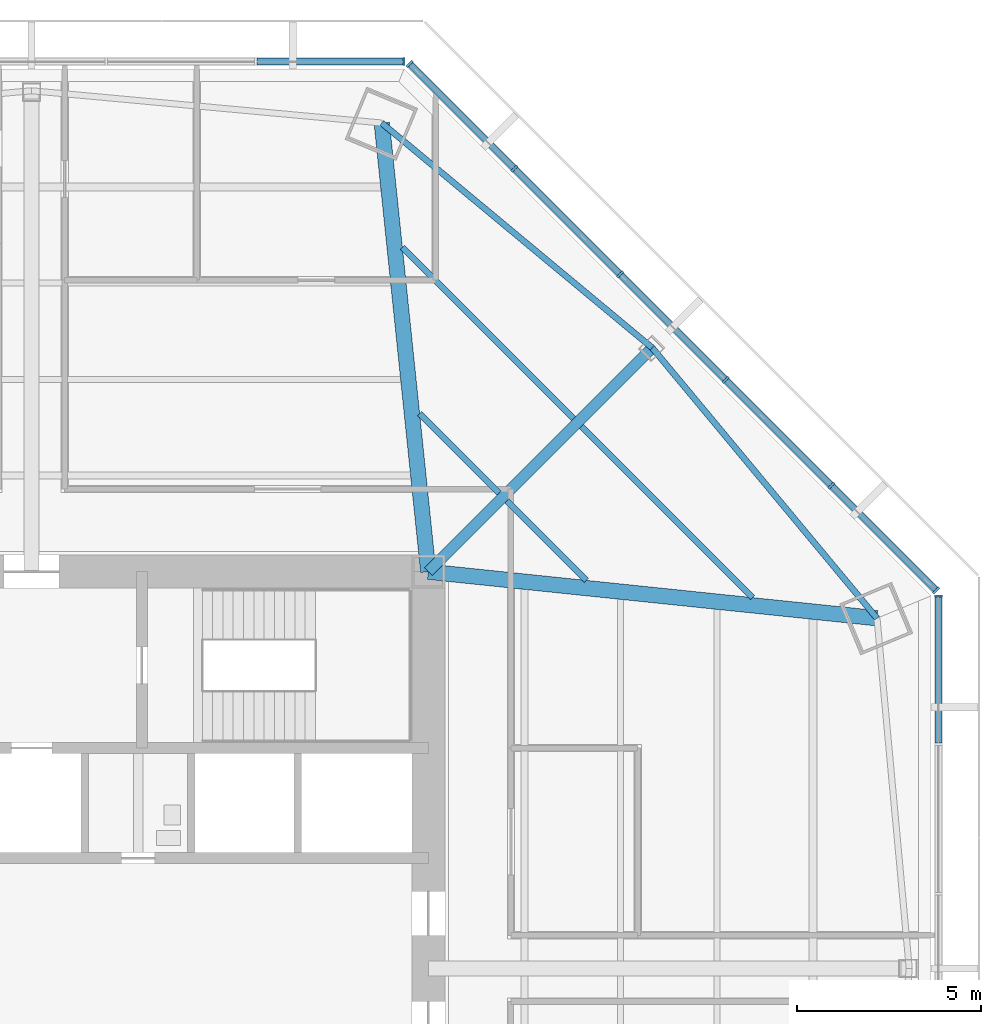
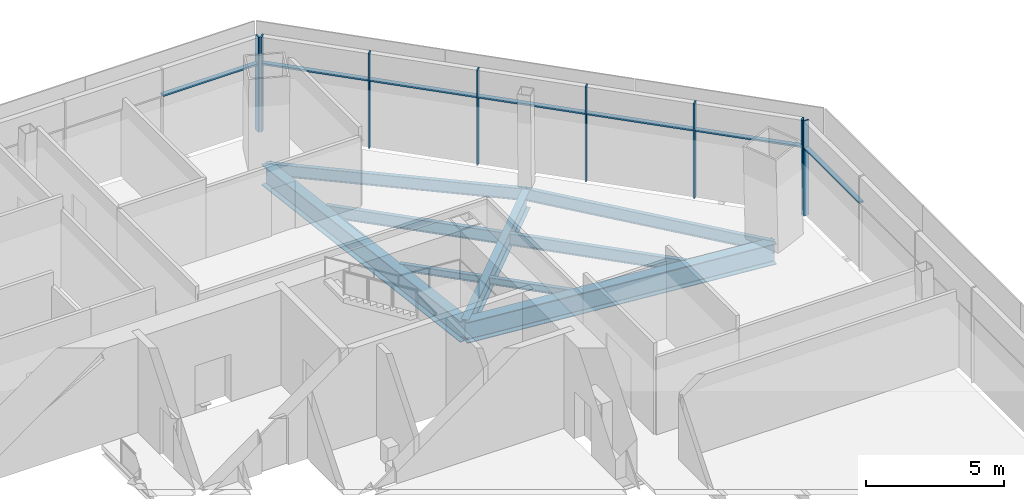
# One storey, part 6 of 14: 15 members, 9 beams, 3 elements without a shape of their own.
"""IFC4 building model written with IfcOpenShell, lengths in metres."""

import ifcopenshell
import ifcopenshell.guid

model = None  # the IFC model being written
_history = None  # IfcOwnerHistory: only IFC2X3 demands one
_inside = {}  # id of a spatial element -> (the spatial element, [elements in it])
_under = {}  # id of a project, library or spatial element -> (it, [spatial elements below it])
_declared = {}  # id of a project -> (the project, [libraries it declares])
_typed = {}  # id of a type object -> (the type object, [elements of that type])
_made_of = {}  # id of a material, layer set ... -> (it, [elements and type objects made of it])


def new_model(schema):
    """Start an empty IFC model of exactly this schema.

    Asked for "IFC4X3", IfcOpenShell would pick the latest addendum, in which some entities
    have other attributes; the version numbers below select the first issue.
    IFC2X3 requires an IfcOwnerHistory on every rooted entity: one is made here for all.
    """
    global model, _history
    if schema == "IFC4X3":
        model = ifcopenshell.file(schema_version=(4, 3, 0, 0))
    else:
        model = ifcopenshell.file(schema=schema)
    _inside.clear()
    _under.clear()
    _declared.clear()
    _typed.clear()
    _made_of.clear()
    _history = None
    if model.schema == "IFC2X3":
        org = make("IfcOrganization", Name="unknown")
        user = make(
            "IfcPersonAndOrganization",
            ThePerson=make("IfcPerson", FamilyName="unknown"),
            TheOrganization=org,
        )
        app = make(
            "IfcApplication",
            ApplicationDeveloper=org,
            Version="unknown",
            ApplicationFullName="unknown",
            ApplicationIdentifier="unknown",
        )
        _history = make(
            "IfcOwnerHistory",
            OwningUser=user,
            OwningApplication=app,
            ChangeAction="ADDED",
            CreationDate=0,
        )
    return model


def make(cls, **values):
    """One entity of the class cls with the attributes given. An attribute that is None is left unset."""
    return model.create_entity(
        cls, **{name: value for name, value in values.items() if value is not None}
    )


def rooted(cls, **values):
    """An entity with a GlobalId (a new one), such as an element, a storey or a relation."""
    return make(cls, GlobalId=ifcopenshell.guid.new(), OwnerHistory=_history, **values)


def si_unit(unit_type, name, prefix=None):
    """IfcSIUnit, for example si_unit("LENGTHUNIT", "METRE", prefix="MILLI")."""
    return make("IfcSIUnit", UnitType=unit_type, Prefix=prefix, Name=name)


def assignment(units):
    """IfcUnitAssignment: the units of a project."""
    return None if units is None else make("IfcUnitAssignment", Units=units)


def point(xyz):
    """IfcCartesianPoint."""
    return None if xyz is None else make("IfcCartesianPoint", Coordinates=xyz)


def direction(xyz):
    """IfcDirection."""
    return None if xyz is None else make("IfcDirection", DirectionRatios=xyz)


def frame(location, z_axis=None, x_axis=None):
    """IfcAxis2Placement3D, a coordinate frame: its origin and axes. An axis left out is left unset."""
    return make(
        "IfcAxis2Placement3D",
        Location=point(location),
        Axis=direction(z_axis),
        RefDirection=direction(x_axis),
    )


def frame_2d(location, x_axis=None):
    """IfcAxis2Placement2D, a coordinate frame in the plane: its origin and x axis."""
    return make(
        "IfcAxis2Placement2D", Location=point(location), RefDirection=direction(x_axis)
    )


def origin():
    """The frame at (0, 0, 0) with its axes left unset."""
    return frame((0.0, 0.0, 0.0))


def origin_2d():
    """The frame at (0, 0) in the plane with its x axis left unset."""
    return frame_2d((0.0, 0.0))


def place(relative_to, where):
    """IfcLocalPlacement: puts the frame where relative to a parent placement (None: the world)."""
    return make(
        "IfcLocalPlacement", PlacementRelTo=relative_to, RelativePlacement=where
    )


def context(
    kind, dimensions, precision=None, world=None, true_north=None, identifier=None
):
    """IfcGeometricRepresentationContext, for example the 3D "Model" context."""
    return make(
        "IfcGeometricRepresentationContext",
        ContextIdentifier=identifier,
        ContextType=kind,
        CoordinateSpaceDimension=dimensions,
        Precision=precision,
        WorldCoordinateSystem=world,
        TrueNorth=true_north,
    )


def subcontext(parent, identifier, kind, view, scale=None):
    """IfcGeometricRepresentationSubContext, for example "Body" below "Model"."""
    return make(
        "IfcGeometricRepresentationSubContext",
        ContextIdentifier=identifier,
        ContextType=kind,
        ParentContext=parent,
        TargetScale=scale,
        TargetView=view,
    )


def project(units=None, contexts=None):
    """IfcProject with its units and contexts."""
    return rooted(
        "IfcProject",
        Name="project",
        RepresentationContexts=contexts,
        UnitsInContext=assignment(units),
    )


def spatial(cls, under=None, at=None, **own):
    """A site, building, storey or space (cls), placed at a placement, below another one or the project."""
    s = rooted(cls, ObjectPlacement=at, **own)
    if under is not None:
        _under.setdefault(under.id(), (under, []))[1].append(s)
    return s


def profile(cls, at=None, kind="AREA", **sizes):
    """A parametric profile (cls). Its sizes go by their IFC names, for example OverallWidth=200.0."""
    return make(cls, ProfileType=kind, Position=at, **sizes)


def rectangle(**sizes):
    """IfcRectangleProfileDef."""
    return profile("IfcRectangleProfileDef", **sizes)


def i_section(**sizes):
    """IfcIShapeProfileDef."""
    return profile("IfcIShapeProfileDef", **sizes)


def extrude(swept, where, along, depth):
    """IfcExtrudedAreaSolid: the profile swept, set in the frame where, extruded along a direction by depth."""
    return make(
        "IfcExtrudedAreaSolid",
        SweptArea=swept,
        Position=where,
        ExtrudedDirection=direction(along),
        Depth=depth,
    )


def shape(context_of_items, identifier, shape_type, items):
    """IfcShapeRepresentation: the items that make up one representation, for example the "Body"."""
    return make(
        "IfcShapeRepresentation",
        ContextOfItems=context_of_items,
        RepresentationIdentifier=identifier,
        RepresentationType=shape_type,
        Items=items,
    )


def source(mapping_origin, context_of_items, identifier, shape_type, items):
    """IfcRepresentationMap: a shape defined once, which mapped items show again and again."""
    return make(
        "IfcRepresentationMap",
        MappingOrigin=mapping_origin,
        MappedRepresentation=shape(context_of_items, identifier, shape_type, items),
    )


def transform(
    local_origin,
    x_axis=None,
    y_axis=None,
    z_axis=None,
    scale=None,
    scale2=None,
    scale3=None,
    uniform=True,
):
    """IfcCartesianTransformationOperator3D, or its non-uniform kind. x_axis, y_axis, z_axis: its Axis1, 2, 3."""
    if uniform:
        return make(
            "IfcCartesianTransformationOperator3D",
            Axis1=direction(x_axis),
            Axis2=direction(y_axis),
            LocalOrigin=point(local_origin),
            Scale=scale,
            Axis3=direction(z_axis),
        )
    return make(
        "IfcCartesianTransformationOperator3DnonUniform",
        Axis1=direction(x_axis),
        Axis2=direction(y_axis),
        LocalOrigin=point(local_origin),
        Scale=scale,
        Axis3=direction(z_axis),
        Scale2=scale2,
        Scale3=scale3,
    )


def mapped(mapping_source, mapping_target):
    """IfcMappedItem: shows the shape of a source again, moved by a transform."""
    return make(
        "IfcMappedItem", MappingSource=mapping_source, MappingTarget=mapping_target
    )


def material(Name=None, Category=None):
    """IfcMaterial."""
    return make("IfcMaterial", Name=Name, Category=Category)


def material_profile(
    of_material, cross_section, Name=None, Category=None, Priority=None
):
    """IfcMaterialProfile: a cross section and its material."""
    return make(
        "IfcMaterialProfile",
        Name=Name,
        Material=of_material,
        Profile=cross_section,
        Priority=Priority,
        Category=Category,
    )


def profile_set(profiles, Name=None, composite=None):
    """IfcMaterialProfileSet."""
    return make(
        "IfcMaterialProfileSet",
        Name=Name,
        MaterialProfiles=profiles,
        CompositeProfile=composite,
    )


def made_of(thing, what):
    """Note that an element or type object is made of a material, layer set ...; save() writes the relation."""
    if what is not None:
        _made_of.setdefault(what.id(), (what, []))[1].append(thing)
    return thing


def type_object(cls, material=None, **own):
    """A type object (cls), such as IfcWallType, which elements share."""
    return made_of(rooted(cls, **own), material)


def type_shapes(of_type, sources):
    """Give a type object the sources (RepresentationMaps) that its elements show as mapped items."""
    of_type.RepresentationMaps = sources


def element(
    cls,
    number,
    at=None,
    inside=None,
    cuts=None,
    type_object=None,
    material=None,
    context=None,
    identifier="Body",
    shape_type=None,
    held_by="IfcProductDefinitionShape",
    body=None,
    shapes=None,
    **own,
):
    """One element of the class cls, such as IfcWall. Its Tag is "e" and its number.

    at: its placement. inside: the storey or other place that contains it. cuts: it is an
    opening in that element (IfcRelVoidsElement). A single representation is given by context,
    identifier, shape_type and body (its items); several are given by shapes. held_by: the class
    of the entity that holds the representations. save() writes the other relations.
    """
    e = rooted(cls, Tag="e%d" % number, ObjectPlacement=at, **own)
    if body is not None:
        shapes = [shape(context, identifier, shape_type, body)]
    if shapes is not None:
        e.Representation = make(held_by, Representations=shapes)
    if inside is not None:
        _inside.setdefault(inside.id(), (inside, []))[1].append(e)
    if cuts is not None:
        rooted(
            "IfcRelVoidsElement", RelatingBuildingElement=cuts, RelatedOpeningElement=e
        )
    if type_object is not None:
        _typed.setdefault(type_object.id(), (type_object, []))[1].append(e)
    return made_of(e, material)


def aggregate(whole, parts):
    """IfcRelAggregates: a whole, such as a stair, and the parts it consists of."""
    return rooted("IfcRelAggregates", RelatingObject=whole, RelatedObjects=parts)


def save(model, path):
    """Write the relations noted so far, then the file.

    IfcRelAggregates (storeys below a building ...), IfcRelContainedInSpatialStructure (elements
    in a storey), IfcRelDefinesByType, IfcRelAssociatesMaterial and IfcRelDeclares: one each for
    every whole, place, type object, material and project.
    """
    for whole, parts in _under.values():
        aggregate(whole, parts)
    for where, things in _inside.values():
        rooted(
            "IfcRelContainedInSpatialStructure",
            RelatedElements=things,
            RelatingStructure=where,
        )
    for kind, things in _typed.values():
        rooted("IfcRelDefinesByType", RelatedObjects=things, RelatingType=kind)
    for what, things in _made_of.values():
        rooted("IfcRelAssociatesMaterial", RelatedObjects=things, RelatingMaterial=what)
    for by, libraries in _declared.values():
        rooted("IfcRelDeclares", RelatingContext=by, RelatedDefinitions=libraries)
    model.write(path)


model = new_model("IFC4")

# Units and contexts
model_context = context("Model", 3, precision=1e-05, world=origin(), true_north=direction((0.0, 1.0)))
body_context = subcontext(model_context, "Body", "Model", "MODEL_VIEW")
ifc_project = project(units=[si_unit("LENGTHUNIT", "METRE"), si_unit("AREAUNIT", "SQUARE_METRE"), si_unit("VOLUMEUNIT", "CUBIC_METRE"), si_unit("PLANEANGLEUNIT", "RADIAN"), si_unit("MASSUNIT", "GRAM", prefix="KILO")], contexts=[model_context])

# Site, building, storey
site_placement = place(None, origin())
site = spatial("IfcSite", under=ifc_project, at=site_placement, CompositionType="ELEMENT")
building_placement = place(site_placement, origin())
building = spatial("IfcBuilding", under=site, at=building_placement, Name="Mashrafa Tower", CompositionType="ELEMENT")
storey_placement = place(building_placement, frame((0.0, 0.0, 117.60009765625)))
storey = spatial("IfcBuildingStorey", under=building, at=storey_placement, Name="L26", CompositionType="ELEMENT", Elevation=117.60009765625)

# Beams
ifc_material_1 = material(Name="Steel ASTM A992", Category="steel")
ifc_material_profile_1 = material_profile(ifc_material_1, i_section(OverallWidth=0.164794921875, OverallDepth=0.309814453125, WebThickness=0.005859375, FlangeThickness=0.009765625, FilletRadius=0.007568359375, at=origin_2d()), Name="W12X26")
ifc_profile_set_1 = profile_set([ifc_material_profile_1], Name="Steel ASTM A992")
beam_type_1 = type_object("IfcBeamType", Name="Beam W12X26", PredefinedType="BEAM", material=ifc_profile_set_1)
for number, where, z_axis, x_axis, name in (
    (1, (10.564697265625, 15.098388671875, -0.320068359375), (0.707106781187, -0.707106781187, 0.0), (0.707106781187, 0.707106781187, 0.0), "Floor beam L26 033"),
    (2, (12.934814453125, 12.728271484375, -0.320068359375), (0.707106781187, -0.707106781187, 0.0), (0.707106781187, 0.707106781187, 0.0), "Floor beam L26 036"),
):
    element("IfcBeam", number, at=place(storey_placement, frame(where, z_axis=z_axis, x_axis=x_axis)), inside=storey, type_object=beam_type_1, Name=name, PredefinedType="BEAM", context=body_context, shape_type="SweptSolid", body=[
        extrude(i_section(OverallWidth=0.164794921875, OverallDepth=0.309814453125, WebThickness=0.005859375, FlangeThickness=0.009765625, FilletRadius=0.007568359375, at=origin_2d()), origin(), (0.0, 0.0, 1.0), 3.059814453125),
    ])
ifc_material_2 = material(Name="Steel ASTM A992", Category="steel")
ifc_material_profile_2 = material_profile(ifc_material_2, i_section(OverallWidth=0.1650390625, OverallDepth=0.52587890625, WebThickness=0.0087890625, FlangeThickness=0.011474609375, FilletRadius=0.0126953125, at=origin_2d()), Name="W21X44")
ifc_profile_set_2 = profile_set([ifc_material_profile_2], Name="Steel ASTM A992")
beam_type_2 = type_object("IfcBeamType", Name="Beam W21X44", PredefinedType="BEAM", material=ifc_profile_set_2)
for number, where, z_axis, x_axis, name in (
    (3, (10.094482421875, 19.631591796875, -0.427978515625), (0.707106781187, -0.707106781187, 0.0), (0.707106781187, 0.707106781187, 0.0), "Floor beam L26 030"),
    (4, (14.96630859375, 14.759765625, -0.427978515625), (0.707106781187, -0.707106781187, 0.0), (0.707106781187, 0.707106781187, 0.0), "Floor beam L26 040"),
):
    element("IfcBeam", number, at=place(storey_placement, frame(where, z_axis=z_axis, x_axis=x_axis)), inside=storey, type_object=beam_type_2, Name=name, PredefinedType="BEAM", context=body_context, shape_type="SweptSolid", body=[
        extrude(i_section(OverallWidth=0.1650390625, OverallDepth=0.52587890625, WebThickness=0.0087890625, FlangeThickness=0.011474609375, FilletRadius=0.0126953125, at=origin_2d()), origin(), (0.0, 0.0, 1.0), 6.59765625),
    ])
for number, where, z_axis, x_axis, name in (
    (5, (16.894775390625, 16.894775390625, -0.427978515625), (-0.769002504827, 0.639245764608, 0.0), (-0.639245764608, -0.769002504827, 0.0), "Spandrel beam L26 077"),
    (6, (23.014404296875, 9.532958984375, -0.427978515625), (-0.639245764608, 0.769002504827, 0.0), (-0.769002504827, -0.639245764608, 0.0), "Spandrel beam L26 079"),
):
    element("IfcBeam", number, at=place(storey_placement, frame(where, z_axis=z_axis, x_axis=x_axis)), inside=storey, type_object=beam_type_2, Name=name, PredefinedType="BEAM", context=body_context, shape_type="SweptSolid", body=[
        extrude(i_section(OverallWidth=0.1650390625, OverallDepth=0.52587890625, WebThickness=0.0087890625, FlangeThickness=0.011474609375, FilletRadius=0.0126953125, at=origin_2d()), origin(), (0.0, 0.0, 1.0), 9.5732421875),
    ])
ifc_material_3 = material(Name="Steel ASTM A992", Category="steel")
ifc_material_profile_3 = material_profile(ifc_material_3, i_section(OverallWidth=0.2919921875, OverallDepth=0.8408203125, WebThickness=0.0146484375, FlangeThickness=0.021728515625, FilletRadius=0.017333984375, at=origin_2d()), Name="W33X130")
ifc_profile_set_3 = profile_set([ifc_material_profile_3], Name="Steel ASTM A992")
beam_type_3 = type_object("IfcBeamType", Name="Beam W33X130", PredefinedType="BEAM", material=ifc_profile_set_3)
beam_placement = place(storey_placement, frame((10.800048828125, 10.800048828125, -0.58544921875), z_axis=(0.707106781187, 0.707106781187, 0.0), x_axis=(-0.707106781187, 0.707106781187, 0.0)))
element("IfcBeam", 7, at=beam_placement, inside=storey, type_object=beam_type_3, Name="Radial girder L26 063", PredefinedType="BEAM", context=body_context, shape_type="SweptSolid", body=[
    extrude(i_section(OverallWidth=0.2919921875, OverallDepth=0.8408203125, WebThickness=0.0146484375, FlangeThickness=0.021728515625, FilletRadius=0.017333984375, at=origin_2d()), origin(), (0.0, 0.0, 1.0), 8.619140625),
])
ifc_material_4 = material(Name="Steel ASTM A992", Category="steel")
ifc_material_profile_4 = material_profile(ifc_material_4, i_section(OverallWidth=0.419189453125, OverallDepth=0.927001953125, WebThickness=0.019287109375, FlangeThickness=0.031982421875, FilletRadius=0.020263671875, at=origin_2d()), Name="W36X231")
ifc_profile_set_4 = profile_set([ifc_material_profile_4], Name="Steel ASTM A992")
beam_type_4 = type_object("IfcBeamType", Name="Beam W36X231", PredefinedType="BEAM", material=ifc_profile_set_4)
for number, where, z_axis, x_axis, name in (
    (8, (10.800048828125, 10.800048828125, -0.628662109375), (-0.103184034441, 0.994662281901, 0.0), (-0.994662281901, -0.103184034441, 0.0), "Radial girder L26 062"),
    (9, (10.800048828125, 10.800048828125, -0.628662109375), (0.994662281901, -0.103184034441, 0.0), (0.103184034441, 0.994662281901, 0.0), "Radial girder L26 064"),
):
    element("IfcBeam", number, at=place(storey_placement, frame(where, z_axis=z_axis, x_axis=x_axis)), inside=storey, type_object=beam_type_4, Name=name, PredefinedType="BEAM", context=body_context, shape_type="SweptSolid", body=[
        extrude(i_section(OverallWidth=0.419189453125, OverallDepth=0.927001953125, WebThickness=0.019287109375, FlangeThickness=0.031982421875, FilletRadius=0.020263671875, at=origin_2d()), origin(), (0.0, 0.0, 1.0), 12.27978515625),
    ])

# Curtain wall, member
ifc_material_5 = material(Name="Unitised aluminium curtain wall", Category="aluminium")
curtain_wall_type = type_object("IfcCurtainWallType", Name="Office curtain wall, zone 2 CW-B 225 deep", PredefinedType="NOTDEFINED", material=ifc_material_5)
curtain_wall_1_placement = place(storey_placement, origin())
curtain_wall_1 = element("IfcCurtainWall", 10, at=curtain_wall_1_placement, inside=storey, type_object=curtain_wall_type, Name="Office curtain wall, zone 2 L26 east", PredefinedType="NOTDEFINED")
ifc_material_6 = material(Name="Extruded aluminium mullion", Category="aluminium")
ifc_material_profile_5 = material_profile(ifc_material_6, rectangle(XDim=0.22509765625, YDim=0.06494140625, at=origin_2d()), Name="Mullion 65x225")
ifc_profile_set_5 = profile_set([ifc_material_profile_5], Name="Extruded aluminium mullion")
member_type_1 = type_object("IfcMemberType", Name="Mullion CW-B 65 x 225", PredefinedType="MULLION", material=ifc_profile_set_5)
shared_shape_1 = source(origin(), body_context, "Body", "SweptSolid", [
    extrude(rectangle(XDim=0.22509765625, YDim=0.06494140625, at=origin_2d()), origin(), (0.0, 0.0, 1.0), 4.199951171875),
])
type_shapes(member_type_1, [shared_shape_1])
member_1_placement = place(storey_placement, frame((24.68798828125, 10.136962890625, 0.0), z_axis=(0.0, 0.0, 1.0), x_axis=(-1.0, 0.0, 0.0)))
member_1 = element("IfcMember", 11, at=member_1_placement, type_object=member_type_1, Name="CW-B mullion 6", PredefinedType="MULLION", context=body_context, shape_type="MappedRepresentation", body=[
    mapped(shared_shape_1, transform((0.0, 0.0, 0.0))),
])

# Curtain wall, members
curtain_wall_2_placement = place(storey_placement, origin())
curtain_wall_2 = element("IfcCurtainWall", 12, at=curtain_wall_2_placement, inside=storey, type_object=curtain_wall_type, Name="Office curtain wall, zone 2 L26 north-east", PredefinedType="NOTDEFINED")
member_2_placement = place(storey_placement, frame((24.625, 10.2890625, 0.0), z_axis=(0.0, 0.0, 1.0), x_axis=(-0.707106781187, -0.707106781187, 0.0)))
member_2 = element("IfcMember", 13, at=member_2_placement, type_object=member_type_1, Name="CW-B mullion 1", PredefinedType="MULLION", context=body_context, shape_type="MappedRepresentation", body=[
    mapped(shared_shape_1, transform((0.0, 0.0, 0.0))),
])
member_3_placement = place(storey_placement, frame((21.771484375, 13.142578125, 0.0), z_axis=(0.0, 0.0, 1.0), x_axis=(-0.707106781187, -0.707106781187, 0.0)))
member_3 = element("IfcMember", 14, at=member_3_placement, type_object=member_type_1, Name="CW-B mullion 2", PredefinedType="MULLION", context=body_context, shape_type="MappedRepresentation", body=[
    mapped(shared_shape_1, transform((0.0, 0.0, 0.0))),
])
member_4_placement = place(storey_placement, frame((18.895263671875, 16.018798828125, 0.0), z_axis=(0.0, 0.0, 1.0), x_axis=(-0.707106781187, -0.707106781187, 0.0)))
member_4 = element("IfcMember", 15, at=member_4_placement, type_object=member_type_1, Name="CW-B mullion 3", PredefinedType="MULLION", context=body_context, shape_type="MappedRepresentation", body=[
    mapped(shared_shape_1, transform((0.0, 0.0, 0.0))),
])
member_5_placement = place(storey_placement, frame((16.018798828125, 18.895263671875, 0.0), z_axis=(0.0, 0.0, 1.0), x_axis=(-0.707106781187, -0.707106781187, 0.0)))
member_5 = element("IfcMember", 16, at=member_5_placement, type_object=member_type_1, Name="CW-B mullion 4", PredefinedType="MULLION", context=body_context, shape_type="MappedRepresentation", body=[
    mapped(shared_shape_1, transform((0.0, 0.0, 0.0))),
])
member_6_placement = place(storey_placement, frame((13.142578125, 21.771484375, 0.0), z_axis=(0.0, 0.0, 1.0), x_axis=(-0.707106781187, -0.707106781187, 0.0)))
member_6 = element("IfcMember", 17, at=member_6_placement, type_object=member_type_1, Name="CW-B mullion 5", PredefinedType="MULLION", context=body_context, shape_type="MappedRepresentation", body=[
    mapped(shared_shape_1, transform((0.0, 0.0, 0.0))),
])
member_7_placement = place(storey_placement, frame((10.2890625, 24.625, 0.0), z_axis=(0.0, 0.0, 1.0), x_axis=(-0.707106781187, -0.707106781187, 0.0)))
member_7 = element("IfcMember", 18, at=member_7_placement, type_object=member_type_1, Name="CW-B mullion 6", PredefinedType="MULLION", context=body_context, shape_type="MappedRepresentation", body=[
    mapped(shared_shape_1, transform((0.0, 0.0, 0.0))),
])

# Curtain wall, member
curtain_wall_3_placement = place(storey_placement, origin())
curtain_wall_3 = element("IfcCurtainWall", 19, at=curtain_wall_3_placement, inside=storey, type_object=curtain_wall_type, Name="Office curtain wall, zone 2 L26 north", PredefinedType="NOTDEFINED")
member_8_placement = place(storey_placement, frame((10.136962890625, 24.68798828125, 0.0), z_axis=(0.0, 0.0, 1.0), x_axis=(0.0, -1.0, 0.0)))
member_8 = element("IfcMember", 20, at=member_8_placement, type_object=member_type_1, Name="CW-B mullion 1", PredefinedType="MULLION", context=body_context, shape_type="MappedRepresentation", body=[
    mapped(shared_shape_1, transform((0.0, 0.0, 0.0))),
])

# Member
ifc_material_7 = material(Name="Extruded aluminium transom", Category="aluminium")
ifc_material_profile_6 = material_profile(ifc_material_7, rectangle(XDim=0.179931640625, YDim=0.080078125, at=origin_2d()), Name="Transom 80x180")
ifc_profile_set_6 = profile_set([ifc_material_profile_6], Name="Extruded aluminium transom")
member_type_2 = type_object("IfcMemberType", Name="Transom CW-B 80 x 180", PredefinedType="MULLION", material=ifc_profile_set_6)
shared_shape_2 = source(origin(), body_context, "Body", "SweptSolid", [
    extrude(rectangle(XDim=0.179931640625, YDim=0.080078125, at=origin_2d()), origin(), (0.0, 0.0, 1.0), 3.97021484375),
])
member_9_placement = place(storey_placement, frame((24.68798828125, 6.13427734375, 3.0), z_axis=(0.0, 1.0, 0.0), x_axis=(-1.0, 0.0, 0.0)))
member_9 = element("IfcMember", 21, at=member_9_placement, type_object=member_type_2, Name="CW-B transom 5", PredefinedType="MULLION", context=body_context, shape_type="MappedRepresentation", body=[
    mapped(shared_shape_2, transform((0.0, 0.0, 0.0))),
])

aggregate(curtain_wall_1, [member_1, member_9])

member_10_placement = place(storey_placement, frame((24.60205078125, 10.31201171875, 3.0), z_axis=(-0.707106781187, 0.707106781187, 0.0), x_axis=(-0.707106781187, -0.707106781187, 0.0)))
member_10 = element("IfcMember", 22, at=member_10_placement, type_object=member_type_2, Name="CW-B transom 1", PredefinedType="MULLION", context=body_context, shape_type="MappedRepresentation", body=[
    mapped(shared_shape_2, transform((0.0, 0.0, 0.0))),
])

member_11_placement = place(storey_placement, frame((13.119384765625, 21.794677734375, 3.0), z_axis=(-0.707106781187, 0.707106781187, 0.0), x_axis=(-0.707106781187, -0.707106781187, 0.0)))
member_11 = element("IfcMember", 23, at=member_11_placement, type_object=member_type_2, Name="CW-B transom 5", PredefinedType="MULLION", context=body_context, shape_type="MappedRepresentation", body=[
    mapped(shared_shape_2, transform((0.0, 0.0, 0.0))),
])

member_12_placement = place(storey_placement, frame((10.1044921875, 24.68798828125, 3.0), z_axis=(-1.0, 0.0, 0.0), x_axis=(0.0, -1.0, 0.0)))
member_12 = element("IfcMember", 24, at=member_12_placement, type_object=member_type_2, Name="CW-B transom 1", PredefinedType="MULLION", context=body_context, shape_type="MappedRepresentation", body=[
    mapped(shared_shape_2, transform((0.0, 0.0, 0.0))),
])

aggregate(curtain_wall_3, [member_8, member_12])

shared_shape_3 = source(origin(), body_context, "Body", "SweptSolid", [
    extrude(rectangle(XDim=0.179931640625, YDim=0.080078125, at=origin_2d()), origin(), (0.0, 0.0, 1.0), 4.002685546875),
])
member_13_placement = place(storey_placement, frame((21.74853515625, 13.16552734375, 3.0), z_axis=(-0.707106781187, 0.707106781187, 0.0), x_axis=(-0.707106781187, -0.707106781187, 0.0)))
member_13 = element("IfcMember", 25, at=member_13_placement, type_object=member_type_2, Name="CW-B transom 2", PredefinedType="MULLION", context=body_context, shape_type="MappedRepresentation", body=[
    mapped(shared_shape_3, transform((0.0, 0.0, 0.0))),
])

member_14_placement = place(storey_placement, frame((15.995849609375, 18.918212890625, 3.0), z_axis=(-0.707106781187, 0.707106781187, 0.0), x_axis=(-0.707106781187, -0.707106781187, 0.0)))
member_14 = element("IfcMember", 26, at=member_14_placement, type_object=member_type_2, Name="CW-B transom 4", PredefinedType="MULLION", context=body_context, shape_type="MappedRepresentation", body=[
    mapped(shared_shape_3, transform((0.0, 0.0, 0.0))),
])

shared_shape_4 = source(origin(), body_context, "Body", "SweptSolid", [
    extrude(rectangle(XDim=0.179931640625, YDim=0.080078125, at=origin_2d()), origin(), (0.0, 0.0, 1.0), 4.0029296875),
])
type_shapes(member_type_2, [shared_shape_2, shared_shape_3, shared_shape_4])
member_15_placement = place(storey_placement, frame((18.872314453125, 16.041748046875, 3.0), z_axis=(-0.707106781187, 0.707106781187, 0.0), x_axis=(-0.707106781187, -0.707106781187, 0.0)))
member_15 = element("IfcMember", 27, at=member_15_placement, type_object=member_type_2, Name="CW-B transom 3", PredefinedType="MULLION", context=body_context, shape_type="MappedRepresentation", body=[
    mapped(shared_shape_4, transform((0.0, 0.0, 0.0))),
])

aggregate(curtain_wall_2, [member_2, member_3, member_4, member_5, member_6, member_7, member_10, member_13, member_15, member_14, member_11])

save(model, "model.ifc")
